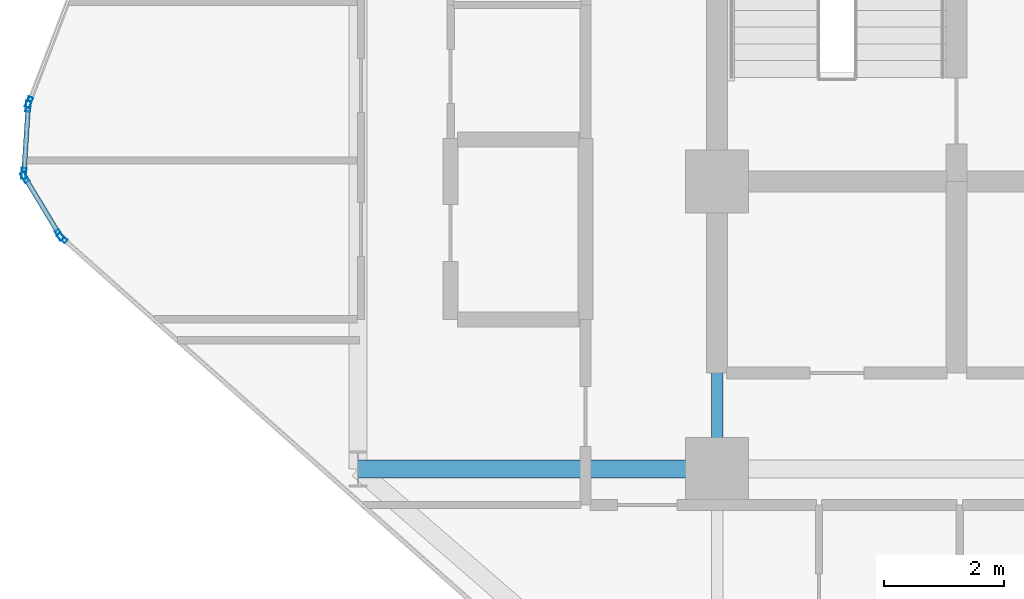
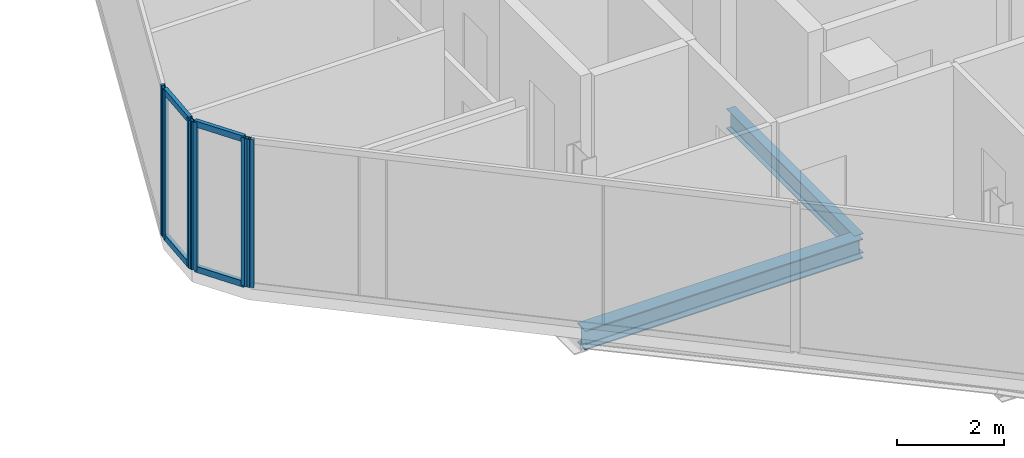
# One storey, part 6 of 29: 10 members, 2 beams, 4 elements without a shape of their own.
"""IFC4 building model written with IfcOpenShell, lengths in metres."""

from ifc_helpers import new_model, si_unit, direction, frame, origin, origin_2d, place, context, subcontext, project, spatial, hollow_rectangle, i_section, extrude, material, layer, layer_set, material_profile, profile_set, type_object, element, aggregate, save


model = new_model("IFC4")

# Units and contexts
model_context = context("Model", 3, precision=1e-05, world=origin(), true_north=direction((0.0, 1.0)))
body_context = subcontext(model_context, "Body", "Model", "MODEL_VIEW")
ifc_project = project(units=[si_unit("LENGTHUNIT", "METRE"), si_unit("AREAUNIT", "SQUARE_METRE"), si_unit("VOLUMEUNIT", "CUBIC_METRE"), si_unit("PLANEANGLEUNIT", "RADIAN"), si_unit("MASSUNIT", "GRAM", prefix="KILO")], contexts=[model_context])

# Site, building, storey
site_placement = place(None, origin())
site = spatial("IfcSite", under=ifc_project, at=site_placement, CompositionType="ELEMENT")
building_placement = place(site_placement, origin())
building = spatial("IfcBuilding", under=site, at=building_placement, Name="Keshet Zoharim Tower", CompositionType="ELEMENT")
storey_placement = place(building_placement, frame((0.0, 0.0, 105.699951171875)))
storey = spatial("IfcBuildingStorey", under=building, at=storey_placement, Name="L25", CompositionType="ELEMENT", Elevation=105.699951171875)

# Beams
ifc_material_1 = material(Name="Steel S355", Category="steel")
ifc_material_profile_1 = material_profile(ifc_material_1, i_section(OverallWidth=0.18994140625, OverallDepth=0.449951171875, WebThickness=0.009521484375, FlangeThickness=0.0146484375, FilletRadius=0.02099609375, at=origin_2d()), Name="IPE450")
ifc_profile_set_1 = profile_set([ifc_material_profile_1], Name="Steel S355")
beam_type_1 = type_object("IfcBeamType", Name="BM-PRI-IP450", PredefinedType="BEAM", material=ifc_profile_set_1)
beam_1_placement = place(storey_placement, frame((15.0, 17.89990234375, -0.5400390625), z_axis=(0.0, 1.0, 0.0), x_axis=(-1.0, 0.0, 0.0)))
element("IfcBeam", 1, at=beam_1_placement, inside=storey, type_object=beam_type_1, Name="L25 Primary Girder Y-003", PredefinedType="BEAM", context=body_context, shape_type="SweptSolid", body=[
    extrude(i_section(OverallWidth=0.18994140625, OverallDepth=0.449951171875, WebThickness=0.009521484375, FlangeThickness=0.0146484375, FilletRadius=0.02099609375, at=origin_2d()), origin(), (0.0, 0.0, 1.0), 4.800048828125),
])
ifc_material_profile_2 = material_profile(ifc_material_1, i_section(OverallWidth=0.300048828125, OverallDepth=0.449951171875, WebThickness=0.013916015625, FlangeThickness=0.02587890625, FilletRadius=0.027099609375, at=origin_2d()), Name="HEB450")
ifc_profile_set_2 = profile_set([ifc_material_profile_2], Name="Steel S355")
beam_type_2 = type_object("IfcBeamType", Name="BM-WEB-HB450", PredefinedType="BEAM", material=ifc_profile_set_2)
beam_2_placement = place(storey_placement, frame((9.0, 17.89990234375, -0.5400390625), z_axis=(1.0, 0.0, 0.0), x_axis=(0.0, 1.0, 0.0)))
element("IfcBeam", 2, at=beam_2_placement, inside=storey, type_object=beam_type_2, Name="L25 Primary Girder X-011", PredefinedType="BEAM", context=body_context, shape_type="SweptSolid", body=[
    extrude(i_section(OverallWidth=0.300048828125, OverallDepth=0.449951171875, WebThickness=0.013916015625, FlangeThickness=0.02587890625, FilletRadius=0.027099609375, at=origin_2d()), origin(), (0.0, 0.0, 1.0), 6.0),
])

# Curtain wall, member
ifc_material_2 = material(Name="Aluminium 6063-T6", Category="aluminium")
ifc_layer = layer(ifc_material_2, 0.159912109375)
ifc_layer_set = layer_set([ifc_layer], Name="Aluminium 6063-T6")
curtain_wall_type = type_object("IfcCurtainWallType", Name="CW-SYS-03", PredefinedType="NOTDEFINED", material=ifc_layer_set)
curtain_wall_1_placement = place(storey_placement, origin())
curtain_wall_1 = element("IfcCurtainWall", 3, at=curtain_wall_1_placement, inside=storey, type_object=curtain_wall_type, Name="L25 Unitised Curtain Wall 07 Part 2", PredefinedType="NOTDEFINED")
ifc_material_profile_3 = material_profile(ifc_material_2, hollow_rectangle(XDim=0.080078125, YDim=0.179931640625, WallThickness=0.00439453125, at=origin_2d()), Name="MUL-80x180")
ifc_profile_set_3 = profile_set([ifc_material_profile_3], Name="Aluminium 6063-T6")
member_type_1 = type_object("IfcMemberType", Name="CWM-M18", PredefinedType="MULLION", material=ifc_profile_set_3)
member_1_placement = place(storey_placement, frame((4.061279296875, 21.7568359375, 0.0), z_axis=(0.0, 0.0, 1.0), x_axis=(-0.664364135264, -0.747409055186, 0.0)))
member_1 = element("IfcMember", 4, at=member_1_placement, type_object=member_type_1, Name="CW-03 mullion 3", PredefinedType="MULLION", context=body_context, shape_type="SweptSolid", body=[
    extrude(hollow_rectangle(XDim=0.080078125, YDim=0.179931640625, WallThickness=0.00439453125, at=origin_2d()), origin(), (0.0, 0.0, 1.0), 3.385009765625),
])
aggregate(curtain_wall_1, [member_1])

# Curtain wall, members
curtain_wall_2_placement = place(storey_placement, origin())
curtain_wall_2 = element("IfcCurtainWall", 5, at=curtain_wall_2_placement, inside=storey, type_object=curtain_wall_type, Name="L25 Unitised Curtain Wall 08", PredefinedType="NOTDEFINED")
member_2_placement = place(storey_placement, frame((4.016845703125, 21.81005859375, 0.0), z_axis=(0.0, 0.0, 1.0), x_axis=(-0.856826433805, -0.515604947933, 0.0)))
member_2 = element("IfcMember", 6, at=member_2_placement, type_object=member_type_1, Name="CW-03 mullion 1", PredefinedType="MULLION", context=body_context, shape_type="SweptSolid", body=[
    extrude(hollow_rectangle(XDim=0.080078125, YDim=0.179931640625, WallThickness=0.00439453125, at=origin_2d()), origin(), (0.0, 0.0, 1.0), 3.385009765625),
])
member_3_placement = place(storey_placement, frame((3.43798828125, 22.77197265625, 0.0), z_axis=(0.0, 0.0, 1.0), x_axis=(-0.856826433805, -0.515604947933, 0.0)))
member_3 = element("IfcMember", 7, at=member_3_placement, type_object=member_type_1, Name="CW-03 mullion 2", PredefinedType="MULLION", context=body_context, shape_type="SweptSolid", body=[
    extrude(hollow_rectangle(XDim=0.080078125, YDim=0.179931640625, WallThickness=0.00439453125, at=origin_2d()), origin(), (0.0, 0.0, 1.0), 3.385009765625),
])

curtain_wall_3_placement = place(storey_placement, origin())
curtain_wall_3 = element("IfcCurtainWall", 8, at=curtain_wall_3_placement, inside=storey, type_object=curtain_wall_type, Name="L25 Unitised Curtain Wall 09", PredefinedType="NOTDEFINED")
member_4_placement = place(storey_placement, frame((3.42236328125, 22.8369140625, 0.0), z_axis=(0.0, 0.0, 1.0), x_axis=(-0.997916617186, 0.064516859374, 0.0)))
member_4 = element("IfcMember", 9, at=member_4_placement, type_object=member_type_1, Name="CW-03 mullion 1", PredefinedType="MULLION", context=body_context, shape_type="SweptSolid", body=[
    extrude(hollow_rectangle(XDim=0.080078125, YDim=0.179931640625, WallThickness=0.00439453125, at=origin_2d()), origin(), (0.0, 0.0, 1.0), 3.385009765625),
])
member_5_placement = place(storey_placement, frame((3.49462890625, 23.9580078125, 0.0), z_axis=(0.0, 0.0, 1.0), x_axis=(-0.997916617186, 0.064516859374, 0.0)))
member_5 = element("IfcMember", 10, at=member_5_placement, type_object=member_type_1, Name="CW-03 mullion 2", PredefinedType="MULLION", context=body_context, shape_type="SweptSolid", body=[
    extrude(hollow_rectangle(XDim=0.080078125, YDim=0.179931640625, WallThickness=0.00439453125, at=origin_2d()), origin(), (0.0, 0.0, 1.0), 3.385009765625),
])

# Curtain wall, member
curtain_wall_4_placement = place(storey_placement, origin())
curtain_wall_4 = element("IfcCurtainWall", 11, at=curtain_wall_4_placement, inside=storey, type_object=curtain_wall_type, Name="L25 Unitised Curtain Wall 10", PredefinedType="NOTDEFINED")
member_6_placement = place(storey_placement, frame((3.509521484375, 24.025634765625, 0.0), z_axis=(0.0, 0.0, 1.0), x_axis=(-0.933341404361, 0.358990003907, 0.0)))
member_6 = element("IfcMember", 12, at=member_6_placement, type_object=member_type_1, Name="CW-03 mullion 1", PredefinedType="MULLION", context=body_context, shape_type="SweptSolid", body=[
    extrude(hollow_rectangle(XDim=0.080078125, YDim=0.179931640625, WallThickness=0.00439453125, at=origin_2d()), origin(), (0.0, 0.0, 1.0), 3.385009765625),
])
aggregate(curtain_wall_4, [member_6])

# Member
ifc_material_profile_4 = material_profile(ifc_material_2, hollow_rectangle(XDim=0.080078125, YDim=0.139892578125, WallThickness=0.00390625, at=origin_2d()), Name="TRN-80x140")
ifc_profile_set_4 = profile_set([ifc_material_profile_4], Name="Aluminium 6063-T6")
member_type_2 = type_object("IfcMemberType", Name="CWT-T14", PredefinedType="USERDEFINED", material=ifc_profile_set_4)
member_7_placement = place(storey_placement, frame((3.9990234375, 21.840087890625, 0.03515625), z_axis=(-0.515791194107, 0.856714330499, 0.0), x_axis=(-0.856714330499, -0.515791194107, 0.0)))
member_7 = element("IfcMember", 13, at=member_7_placement, type_object=member_type_2, Name="CW-03 transom 1.1", ObjectType="TRANSOM", PredefinedType="USERDEFINED", context=body_context, shape_type="SweptSolid", body=[
    extrude(hollow_rectangle(XDim=0.080078125, YDim=0.139892578125, WallThickness=0.00390625, at=origin_2d()), origin(), (0.0, 0.0, 1.0), 1.052734375),
])

member_8_placement = place(storey_placement, frame((3.9990234375, 21.840087890625, 3.35009765625), z_axis=(-0.515791194107, 0.856714330499, 0.0), x_axis=(-0.856714330499, -0.515791194107, 0.0)))
member_8 = element("IfcMember", 14, at=member_8_placement, type_object=member_type_2, Name="CW-03 transom 1.2", ObjectType="TRANSOM", PredefinedType="USERDEFINED", context=body_context, shape_type="SweptSolid", body=[
    extrude(hollow_rectangle(XDim=0.080078125, YDim=0.139892578125, WallThickness=0.00390625, at=origin_2d()), origin(), (0.0, 0.0, 1.0), 1.052734375),
])

aggregate(curtain_wall_2, [member_2, member_3, member_7, member_8])

member_9_placement = place(storey_placement, frame((3.424560546875, 22.871826171875, 0.03515625), z_axis=(0.064426947155, 0.997922426083, 0.0), x_axis=(-0.997922426083, 0.064426947155, 0.0)))
member_9 = element("IfcMember", 15, at=member_9_placement, type_object=member_type_2, Name="CW-03 transom 1.1", ObjectType="TRANSOM", PredefinedType="USERDEFINED", context=body_context, shape_type="SweptSolid", body=[
    extrude(hollow_rectangle(XDim=0.080078125, YDim=0.139892578125, WallThickness=0.00390625, at=origin_2d()), origin(), (0.0, 0.0, 1.0), 1.053466796875),
])

member_10_placement = place(storey_placement, frame((3.424560546875, 22.871826171875, 3.35009765625), z_axis=(0.064426947155, 0.997922426083, 0.0), x_axis=(-0.997922426083, 0.064426947155, 0.0)))
member_10 = element("IfcMember", 16, at=member_10_placement, type_object=member_type_2, Name="CW-03 transom 1.2", ObjectType="TRANSOM", PredefinedType="USERDEFINED", context=body_context, shape_type="SweptSolid", body=[
    extrude(hollow_rectangle(XDim=0.080078125, YDim=0.139892578125, WallThickness=0.00390625, at=origin_2d()), origin(), (0.0, 0.0, 1.0), 1.053466796875),
])

aggregate(curtain_wall_3, [member_4, member_5, member_9, member_10])

save(model, "model.ifc")
